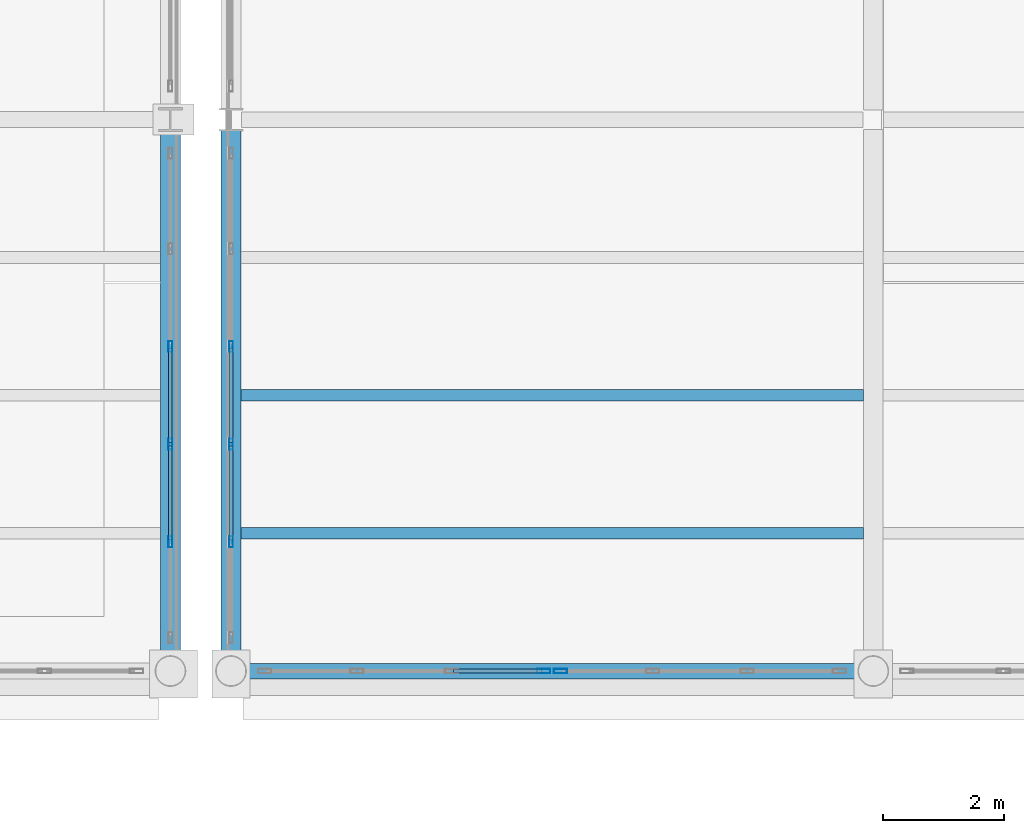
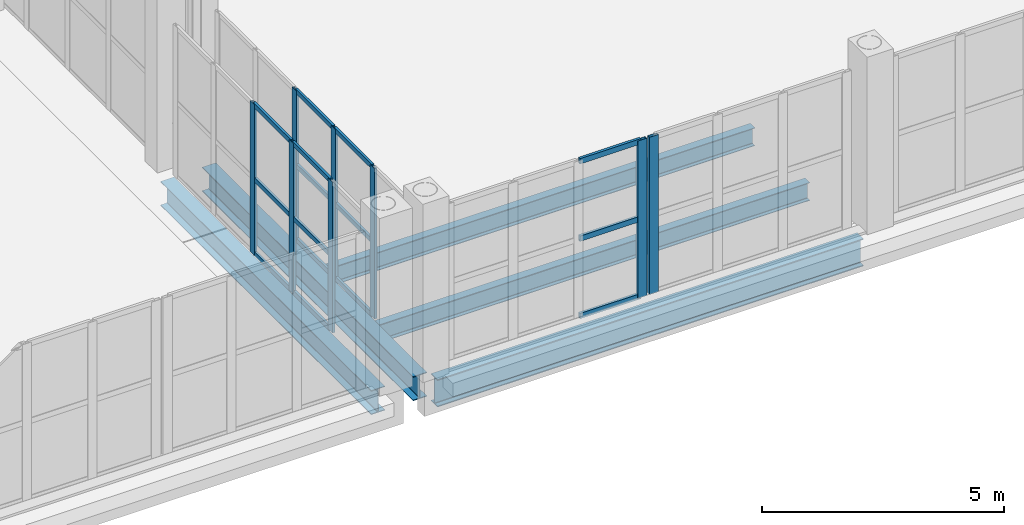
# One storey, part 32 of 156: 23 members, 5 beams, 4 elements without a shape of their own.
"""IFC4 building model written with IfcOpenShell, lengths in metres."""

from ifc_helpers import new_model, si_unit, direction, frame, origin, origin_2d, place, context, subcontext, project, spatial, hollow_rectangle, i_section, extrude, material, material_profile, profile_set, type_object, element, aggregate, save


model = new_model("IFC4")

# Units and contexts
model_context = context("Model", 3, precision=1e-05, world=origin(), true_north=direction((0.0, 1.0)))
body_context = subcontext(model_context, "Body", "Model", "MODEL_VIEW")
ifc_project = project(units=[si_unit("LENGTHUNIT", "METRE"), si_unit("AREAUNIT", "SQUARE_METRE"), si_unit("VOLUMEUNIT", "CUBIC_METRE"), si_unit("PLANEANGLEUNIT", "RADIAN"), si_unit("MASSUNIT", "GRAM", prefix="KILO")], contexts=[model_context])

# Site, building, storey
site_placement = place(None, origin())
site = spatial("IfcSite", under=ifc_project, at=site_placement, CompositionType="ELEMENT")
building_placement = place(site_placement, origin())
building = spatial("IfcBuilding", under=site, at=building_placement, Name="Caurita Quay Ferry Terminal", CompositionType="ELEMENT")
storey_placement = place(building_placement, frame((0.0, 0.0, 5.39990234375)))
storey = spatial("IfcBuildingStorey", under=building, at=storey_placement, Name="L01", CompositionType="ELEMENT", Elevation=5.39990234375)

# Beams
ifc_material_1 = material(Name="Structural steel ASTM A992 Gr. 50", Category="steel")
ifc_material_profile_1 = material_profile(ifc_material_1, i_section(OverallWidth=0.3251953125, OverallDepth=0.612060546875, WebThickness=0.0126953125, FlangeThickness=0.01904296875, FilletRadius=0.01513671875, at=origin_2d()), Name="W24X104")
ifc_profile_set_1 = profile_set([ifc_material_profile_1], Name="Structural steel ASTM A992 Gr. 50")
beam_type_1 = type_object("IfcBeamType", Name="BM-GR-W24A", PredefinedType="BEAM", material=ifc_profile_set_1)
beam_1_placement = place(storey_placement, frame((87.60009765625, 34.81591796875, -0.60595703125), z_axis=(0.0, 1.0, 0.0), x_axis=(-1.0, 0.0, 0.0)))
element("IfcBeam", 1, at=beam_1_placement, inside=storey, type_object=beam_type_1, Name="L01 Beam BM-V1-L01-Y-876-348", PredefinedType="BEAM", context=body_context, shape_type="SweptSolid", body=[
    extrude(i_section(OverallWidth=0.3251953125, OverallDepth=0.612060546875, WebThickness=0.0126953125, FlangeThickness=0.01904296875, FilletRadius=0.01513671875, at=origin_2d()), origin(), (0.0, 0.0, 1.0), 8.70703125),
])
beam_2_placement = place(storey_placement, frame((88.60009765625, 34.81591796875, -0.60595703125), z_axis=(0.0, 1.0, 0.0), x_axis=(-1.0, 0.0, 0.0)))
element("IfcBeam", 2, at=beam_2_placement, inside=storey, type_object=beam_type_1, Name="L01 Beam BM-V2-L01-Y-886-348", PredefinedType="BEAM", context=body_context, shape_type="SweptSolid", body=[
    extrude(i_section(OverallWidth=0.3251953125, OverallDepth=0.612060546875, WebThickness=0.0126953125, FlangeThickness=0.01904296875, FilletRadius=0.01513671875, at=origin_2d()), origin(), (0.0, 0.0, 1.0), 8.716796875),
])
ifc_material_profile_2 = material_profile(ifc_material_1, i_section(OverallWidth=0.256591796875, OverallDepth=0.693359375, WebThickness=0.014404296875, FlangeThickness=0.023681640625, FilletRadius=0.017822265625, at=origin_2d()), Name="W27X114")
ifc_profile_set_2 = profile_set([ifc_material_profile_2], Name="Structural steel ASTM A992 Gr. 50")
beam_type_2 = type_object("IfcBeamType", Name="BM-GR-W27A", PredefinedType="BEAM", material=ifc_profile_set_2)
beam_3_placement = place(storey_placement, frame((88.81591796875, 34.60009765625, -0.646484375), z_axis=(1.0, 0.0, 0.0), x_axis=(0.0, 1.0, 0.0)))
element("IfcBeam", 3, at=beam_3_placement, inside=storey, type_object=beam_type_2, Name="L01 Beam BM-V2-L01-X-888-346", PredefinedType="BEAM", context=body_context, shape_type="SweptSolid", body=[
    extrude(i_section(OverallWidth=0.256591796875, OverallDepth=0.693359375, WebThickness=0.014404296875, FlangeThickness=0.023681640625, FilletRadius=0.017822265625, at=origin_2d()), origin(), (0.0, 0.0, 1.0), 10.168212890625),
])
ifc_material_profile_3 = material_profile(ifc_material_1, i_section(OverallWidth=0.1904296875, OverallDepth=0.457275390625, WebThickness=0.009033203125, FlangeThickness=0.014404296875, FilletRadius=0.0126953125, at=origin_2d()), Name="W18X50")
ifc_profile_set_3 = profile_set([ifc_material_profile_3], Name="Structural steel ASTM A992 Gr. 50")
beam_type_3 = type_object("IfcBeamType", Name="BM-JS-W18B", PredefinedType="JOIST", material=ifc_profile_set_3)
for number, where, z_axis, x_axis, name in (
    (4, (88.762451171875, 36.875, -0.528564453125), (1.0, 0.0, 0.0), (0.0, 1.0, 0.0), "L01 Beam JS-V2-L01-001"),
    (5, (88.762451171875, 39.14990234375, -0.528564453125), (1.0, 0.0, 0.0), (0.0, 1.0, 0.0), "L01 Beam JS-V2-L01-002"),
):
    element("IfcBeam", number, at=place(storey_placement, frame(where, z_axis=z_axis, x_axis=x_axis)), inside=storey, type_object=beam_type_3, Name=name, PredefinedType="JOIST", context=body_context, shape_type="SweptSolid", body=[
        extrude(i_section(OverallWidth=0.1904296875, OverallDepth=0.457275390625, WebThickness=0.009033203125, FlangeThickness=0.014404296875, FilletRadius=0.0126953125, at=origin_2d()), origin(), (0.0, 0.0, 1.0), 10.275146484375),
    ])

# Curtain wall, members
ifc_material_2 = material(Name="Laminated solar-control insulated glass", Category="glass")
curtain_wall_type_1 = type_object("IfcCurtainWallType", Name="CW-SYS-11", PredefinedType="NOTDEFINED", material=ifc_material_2)
curtain_wall_1_placement = place(storey_placement, origin())
curtain_wall_1 = element("IfcCurtainWall", 6, at=curtain_wall_1_placement, inside=storey, type_object=curtain_wall_type_1, Name="Concourse Gable Curtain Wall 080", PredefinedType="NOTDEFINED")
ifc_material_3 = material(Name="Anodized aluminium 6063-T6", Category="aluminium")
ifc_material_profile_4 = material_profile(ifc_material_3, hollow_rectangle(XDim=0.06494140625, YDim=0.179931640625, WallThickness=0.00390625, at=origin_2d()), Name="ALU-MUL-65X180")
ifc_profile_set_4 = profile_set([ifc_material_profile_4], Name="Anodized aluminium 6063-T6")
member_type_1 = type_object("IfcMemberType", Name="CW-MUL-180", PredefinedType="MULLION", material=ifc_profile_set_4)
member_1_placement = place(storey_placement, frame((87.60009765625, 36.73193359375, 0.0), z_axis=(0.0, 0.0, 1.0), x_axis=(-1.0, 0.0, 0.0)))
member_1 = element("IfcMember", 7, at=member_1_placement, type_object=member_type_1, Name="CW-GBL-080 Mullion 2", PredefinedType="MULLION", context=body_context, shape_type="SweptSolid", body=[
    extrude(hollow_rectangle(XDim=0.06494140625, YDim=0.179931640625, WallThickness=0.00390625, at=origin_2d()), origin(), (0.0, 0.0, 1.0), 3.800048828125),
])
member_2_placement = place(storey_placement, frame((87.60009765625, 38.343994140625, 0.0), z_axis=(0.0, 0.0, 1.0), x_axis=(-1.0, 0.0, 0.0)))
member_2 = element("IfcMember", 8, at=member_2_placement, type_object=member_type_1, Name="CW-GBL-080 Mullion 3", PredefinedType="MULLION", context=body_context, shape_type="SweptSolid", body=[
    extrude(hollow_rectangle(XDim=0.06494140625, YDim=0.179931640625, WallThickness=0.00390625, at=origin_2d()), origin(), (0.0, 0.0, 1.0), 3.800048828125),
])
member_3_placement = place(storey_placement, frame((87.60009765625, 39.9560546875, 0.0), z_axis=(0.0, 0.0, 1.0), x_axis=(-1.0, 0.0, 0.0)))
member_3 = element("IfcMember", 9, at=member_3_placement, type_object=member_type_1, Name="CW-GBL-080 Mullion 4", PredefinedType="MULLION", context=body_context, shape_type="SweptSolid", body=[
    extrude(hollow_rectangle(XDim=0.06494140625, YDim=0.179931640625, WallThickness=0.00390625, at=origin_2d()), origin(), (0.0, 0.0, 1.0), 3.800048828125),
])

curtain_wall_2_placement = place(storey_placement, origin())
curtain_wall_2 = element("IfcCurtainWall", 10, at=curtain_wall_2_placement, inside=storey, type_object=curtain_wall_type_1, Name="Concourse Gable Curtain Wall 083", PredefinedType="NOTDEFINED")
member_4_placement = place(storey_placement, frame((88.60009765625, 36.73193359375, 0.0), z_axis=(0.0, 0.0, 1.0), x_axis=(-1.0, 0.0, 0.0)))
member_4 = element("IfcMember", 11, at=member_4_placement, type_object=member_type_1, Name="CW-GBL-083 Mullion 2", PredefinedType="MULLION", context=body_context, shape_type="SweptSolid", body=[
    extrude(hollow_rectangle(XDim=0.06494140625, YDim=0.179931640625, WallThickness=0.00390625, at=origin_2d()), origin(), (0.0, 0.0, 1.0), 3.800048828125),
])
member_5_placement = place(storey_placement, frame((88.60009765625, 38.343994140625, 0.0), z_axis=(0.0, 0.0, 1.0), x_axis=(-1.0, 0.0, 0.0)))
member_5 = element("IfcMember", 12, at=member_5_placement, type_object=member_type_1, Name="CW-GBL-083 Mullion 3", PredefinedType="MULLION", context=body_context, shape_type="SweptSolid", body=[
    extrude(hollow_rectangle(XDim=0.06494140625, YDim=0.179931640625, WallThickness=0.00390625, at=origin_2d()), origin(), (0.0, 0.0, 1.0), 3.800048828125),
])
member_6_placement = place(storey_placement, frame((88.60009765625, 39.9560546875, 0.0), z_axis=(0.0, 0.0, 1.0), x_axis=(-1.0, 0.0, 0.0)))
member_6 = element("IfcMember", 13, at=member_6_placement, type_object=member_type_1, Name="CW-GBL-083 Mullion 4", PredefinedType="MULLION", context=body_context, shape_type="SweptSolid", body=[
    extrude(hollow_rectangle(XDim=0.06494140625, YDim=0.179931640625, WallThickness=0.00390625, at=origin_2d()), origin(), (0.0, 0.0, 1.0), 3.800048828125),
])

# Curtain wall, member
curtain_wall_type_2 = type_object("IfcCurtainWallType", Name="CW-SYS-09", PredefinedType="NOTDEFINED", material=ifc_material_2)
curtain_wall_3_placement = place(storey_placement, origin())
curtain_wall_3 = element("IfcCurtainWall", 14, at=curtain_wall_3_placement, inside=storey, type_object=curtain_wall_type_2, Name="V2 Waterside Concourse Curtain Wall 065", PredefinedType="NOTDEFINED")
ifc_material_profile_5 = material_profile(ifc_material_3, hollow_rectangle(XDim=0.074951171875, YDim=0.219970703125, WallThickness=0.00390625, at=origin_2d()), Name="ALU-MUL-75X220")
ifc_profile_set_5 = profile_set([ifc_material_profile_5], Name="Anodized aluminium 6063-T6")
member_type_2 = type_object("IfcMemberType", Name="CW-MUL-220", PredefinedType="MULLION", material=ifc_profile_set_5)
member_7_placement = place(storey_placement, frame((93.762451171875, 34.60009765625, 0.0), z_axis=(0.0, 0.0, 1.0), x_axis=(0.0, 1.0, 0.0)))
member_7 = element("IfcMember", 15, at=member_7_placement, type_object=member_type_2, Name="CW-SEA-065 Mullion 4", PredefinedType="MULLION", context=body_context, shape_type="SweptSolid", body=[
    extrude(hollow_rectangle(XDim=0.074951171875, YDim=0.219970703125, WallThickness=0.00390625, at=origin_2d()), origin(), (0.0, 0.0, 1.0), 3.97021484375),
])

curtain_wall_4_placement = place(storey_placement, origin())
curtain_wall_4 = element("IfcCurtainWall", 16, at=curtain_wall_4_placement, inside=storey, type_object=curtain_wall_type_2, Name="V2 Waterside Concourse Curtain Wall 066", PredefinedType="NOTDEFINED")
member_8_placement = place(storey_placement, frame((94.03759765625, 34.60009765625, 0.0), z_axis=(0.0, 0.0, 1.0), x_axis=(0.0, 1.0, 0.0)))
member_8 = element("IfcMember", 17, at=member_8_placement, type_object=member_type_2, Name="CW-SEA-066 Mullion 1", PredefinedType="MULLION", context=body_context, shape_type="SweptSolid", body=[
    extrude(hollow_rectangle(XDim=0.074951171875, YDim=0.219970703125, WallThickness=0.00390625, at=origin_2d()), origin(), (0.0, 0.0, 1.0), 3.97021484375),
])
aggregate(curtain_wall_4, [member_8])

# Member
ifc_material_profile_6 = material_profile(ifc_material_3, hollow_rectangle(XDim=0.06005859375, YDim=0.114990234375, WallThickness=0.00341796875, at=origin_2d()), Name="ALU-TRN-60X115")
ifc_profile_set_6 = profile_set([ifc_material_profile_6], Name="Anodized aluminium 6063-T6")
member_type_3 = type_object("IfcMemberType", Name="CW-TRN-115", PredefinedType="USERDEFINED", material=ifc_profile_set_6)
member_9_placement = place(storey_placement, frame((87.60009765625, 36.762451171875, 0.030029296875), z_axis=(0.0, 1.0, 0.0), x_axis=(-1.0, 0.0, 0.0)))
member_9 = element("IfcMember", 18, at=member_9_placement, type_object=member_type_3, Name="CW-GBL-080 Transom 4", ObjectType="TRANSOM", PredefinedType="USERDEFINED", context=body_context, shape_type="SweptSolid", body=[
    extrude(hollow_rectangle(XDim=0.06005859375, YDim=0.114990234375, WallThickness=0.00341796875, at=origin_2d()), origin(), (0.0, 0.0, 1.0), 1.551025390625),
])

member_10_placement = place(storey_placement, frame((87.60009765625, 36.762451171875, 1.900146484375), z_axis=(0.0, 1.0, 0.0), x_axis=(-1.0, 0.0, 0.0)))
member_10 = element("IfcMember", 19, at=member_10_placement, type_object=member_type_3, Name="CW-GBL-080 Transom 5", ObjectType="TRANSOM", PredefinedType="USERDEFINED", context=body_context, shape_type="SweptSolid", body=[
    extrude(hollow_rectangle(XDim=0.06005859375, YDim=0.114990234375, WallThickness=0.00341796875, at=origin_2d()), origin(), (0.0, 0.0, 1.0), 1.551025390625),
])

member_11_placement = place(storey_placement, frame((87.60009765625, 36.762451171875, 3.77001953125), z_axis=(0.0, 1.0, 0.0), x_axis=(-1.0, 0.0, 0.0)))
member_11 = element("IfcMember", 20, at=member_11_placement, type_object=member_type_3, Name="CW-GBL-080 Transom 6", ObjectType="TRANSOM", PredefinedType="USERDEFINED", context=body_context, shape_type="SweptSolid", body=[
    extrude(hollow_rectangle(XDim=0.06005859375, YDim=0.114990234375, WallThickness=0.00341796875, at=origin_2d()), origin(), (0.0, 0.0, 1.0), 1.551025390625),
])

member_12_placement = place(storey_placement, frame((87.60009765625, 38.37451171875, 0.030029296875), z_axis=(0.0, 1.0, 0.0), x_axis=(-1.0, 0.0, 0.0)))
member_12 = element("IfcMember", 21, at=member_12_placement, type_object=member_type_3, Name="CW-GBL-080 Transom 7", ObjectType="TRANSOM", PredefinedType="USERDEFINED", context=body_context, shape_type="SweptSolid", body=[
    extrude(hollow_rectangle(XDim=0.06005859375, YDim=0.114990234375, WallThickness=0.00341796875, at=origin_2d()), origin(), (0.0, 0.0, 1.0), 1.551025390625),
])

member_13_placement = place(storey_placement, frame((87.60009765625, 38.37451171875, 1.900146484375), z_axis=(0.0, 1.0, 0.0), x_axis=(-1.0, 0.0, 0.0)))
member_13 = element("IfcMember", 22, at=member_13_placement, type_object=member_type_3, Name="CW-GBL-080 Transom 8", ObjectType="TRANSOM", PredefinedType="USERDEFINED", context=body_context, shape_type="SweptSolid", body=[
    extrude(hollow_rectangle(XDim=0.06005859375, YDim=0.114990234375, WallThickness=0.00341796875, at=origin_2d()), origin(), (0.0, 0.0, 1.0), 1.551025390625),
])

member_14_placement = place(storey_placement, frame((87.60009765625, 38.37451171875, 3.77001953125), z_axis=(0.0, 1.0, 0.0), x_axis=(-1.0, 0.0, 0.0)))
member_14 = element("IfcMember", 23, at=member_14_placement, type_object=member_type_3, Name="CW-GBL-080 Transom 9", ObjectType="TRANSOM", PredefinedType="USERDEFINED", context=body_context, shape_type="SweptSolid", body=[
    extrude(hollow_rectangle(XDim=0.06005859375, YDim=0.114990234375, WallThickness=0.00341796875, at=origin_2d()), origin(), (0.0, 0.0, 1.0), 1.551025390625),
])

aggregate(curtain_wall_1, [member_1, member_2, member_3, member_9, member_10, member_11, member_12, member_13, member_14])

member_15_placement = place(storey_placement, frame((88.60009765625, 36.762451171875, 0.030029296875), z_axis=(0.0, 1.0, 0.0), x_axis=(-1.0, 0.0, 0.0)))
member_15 = element("IfcMember", 24, at=member_15_placement, type_object=member_type_3, Name="CW-GBL-083 Transom 4", ObjectType="TRANSOM", PredefinedType="USERDEFINED", context=body_context, shape_type="SweptSolid", body=[
    extrude(hollow_rectangle(XDim=0.06005859375, YDim=0.114990234375, WallThickness=0.00341796875, at=origin_2d()), origin(), (0.0, 0.0, 1.0), 1.551025390625),
])

member_16_placement = place(storey_placement, frame((88.60009765625, 36.762451171875, 1.900146484375), z_axis=(0.0, 1.0, 0.0), x_axis=(-1.0, 0.0, 0.0)))
member_16 = element("IfcMember", 25, at=member_16_placement, type_object=member_type_3, Name="CW-GBL-083 Transom 5", ObjectType="TRANSOM", PredefinedType="USERDEFINED", context=body_context, shape_type="SweptSolid", body=[
    extrude(hollow_rectangle(XDim=0.06005859375, YDim=0.114990234375, WallThickness=0.00341796875, at=origin_2d()), origin(), (0.0, 0.0, 1.0), 1.551025390625),
])

member_17_placement = place(storey_placement, frame((88.60009765625, 36.762451171875, 3.77001953125), z_axis=(0.0, 1.0, 0.0), x_axis=(-1.0, 0.0, 0.0)))
member_17 = element("IfcMember", 26, at=member_17_placement, type_object=member_type_3, Name="CW-GBL-083 Transom 6", ObjectType="TRANSOM", PredefinedType="USERDEFINED", context=body_context, shape_type="SweptSolid", body=[
    extrude(hollow_rectangle(XDim=0.06005859375, YDim=0.114990234375, WallThickness=0.00341796875, at=origin_2d()), origin(), (0.0, 0.0, 1.0), 1.551025390625),
])

member_18_placement = place(storey_placement, frame((88.60009765625, 38.37451171875, 0.030029296875), z_axis=(0.0, 1.0, 0.0), x_axis=(-1.0, 0.0, 0.0)))
member_18 = element("IfcMember", 27, at=member_18_placement, type_object=member_type_3, Name="CW-GBL-083 Transom 7", ObjectType="TRANSOM", PredefinedType="USERDEFINED", context=body_context, shape_type="SweptSolid", body=[
    extrude(hollow_rectangle(XDim=0.06005859375, YDim=0.114990234375, WallThickness=0.00341796875, at=origin_2d()), origin(), (0.0, 0.0, 1.0), 1.551025390625),
])

member_19_placement = place(storey_placement, frame((88.60009765625, 38.37451171875, 1.900146484375), z_axis=(0.0, 1.0, 0.0), x_axis=(-1.0, 0.0, 0.0)))
member_19 = element("IfcMember", 28, at=member_19_placement, type_object=member_type_3, Name="CW-GBL-083 Transom 8", ObjectType="TRANSOM", PredefinedType="USERDEFINED", context=body_context, shape_type="SweptSolid", body=[
    extrude(hollow_rectangle(XDim=0.06005859375, YDim=0.114990234375, WallThickness=0.00341796875, at=origin_2d()), origin(), (0.0, 0.0, 1.0), 1.551025390625),
])

member_20_placement = place(storey_placement, frame((88.60009765625, 38.37451171875, 3.77001953125), z_axis=(0.0, 1.0, 0.0), x_axis=(-1.0, 0.0, 0.0)))
member_20 = element("IfcMember", 29, at=member_20_placement, type_object=member_type_3, Name="CW-GBL-083 Transom 9", ObjectType="TRANSOM", PredefinedType="USERDEFINED", context=body_context, shape_type="SweptSolid", body=[
    extrude(hollow_rectangle(XDim=0.06005859375, YDim=0.114990234375, WallThickness=0.00341796875, at=origin_2d()), origin(), (0.0, 0.0, 1.0), 1.551025390625),
])

aggregate(curtain_wall_2, [member_4, member_5, member_6, member_15, member_16, member_17, member_18, member_19, member_20])

ifc_material_profile_7 = material_profile(ifc_material_3, hollow_rectangle(XDim=0.06494140625, YDim=0.135009765625, WallThickness=0.00341796875, at=origin_2d()), Name="ALU-TRN-65X135")
ifc_profile_set_7 = profile_set([ifc_material_profile_7], Name="Anodized aluminium 6063-T6")
member_type_4 = type_object("IfcMemberType", Name="CW-TRN-135", PredefinedType="USERDEFINED", material=ifc_profile_set_7)
member_21_placement = place(storey_placement, frame((92.275390625, 34.60009765625, 0.03271484375), z_axis=(1.0, 0.0, 0.0), x_axis=(0.0, 1.0, 0.0)))
member_21 = element("IfcMember", 30, at=member_21_placement, type_object=member_type_4, Name="CW-SEA-065 Transom 7", ObjectType="TRANSOM", PredefinedType="USERDEFINED", context=body_context, shape_type="SweptSolid", body=[
    extrude(hollow_rectangle(XDim=0.06494140625, YDim=0.135009765625, WallThickness=0.00341796875, at=origin_2d()), origin(), (0.0, 0.0, 1.0), 1.45166015625),
])

member_22_placement = place(storey_placement, frame((92.275390625, 34.60009765625, 1.985107421875), z_axis=(1.0, 0.0, 0.0), x_axis=(0.0, 1.0, 0.0)))
member_22 = element("IfcMember", 31, at=member_22_placement, type_object=member_type_4, Name="CW-SEA-065 Transom 8", ObjectType="TRANSOM", PredefinedType="USERDEFINED", context=body_context, shape_type="SweptSolid", body=[
    extrude(hollow_rectangle(XDim=0.06494140625, YDim=0.135009765625, WallThickness=0.00341796875, at=origin_2d()), origin(), (0.0, 0.0, 1.0), 1.45166015625),
])

member_23_placement = place(storey_placement, frame((92.275390625, 34.60009765625, 3.9375), z_axis=(1.0, 0.0, 0.0), x_axis=(0.0, 1.0, 0.0)))
member_23 = element("IfcMember", 32, at=member_23_placement, type_object=member_type_4, Name="CW-SEA-065 Transom 9", ObjectType="TRANSOM", PredefinedType="USERDEFINED", context=body_context, shape_type="SweptSolid", body=[
    extrude(hollow_rectangle(XDim=0.06494140625, YDim=0.135009765625, WallThickness=0.00341796875, at=origin_2d()), origin(), (0.0, 0.0, 1.0), 1.45166015625),
])

aggregate(curtain_wall_3, [member_7, member_21, member_22, member_23])

save(model, "model.ifc")
